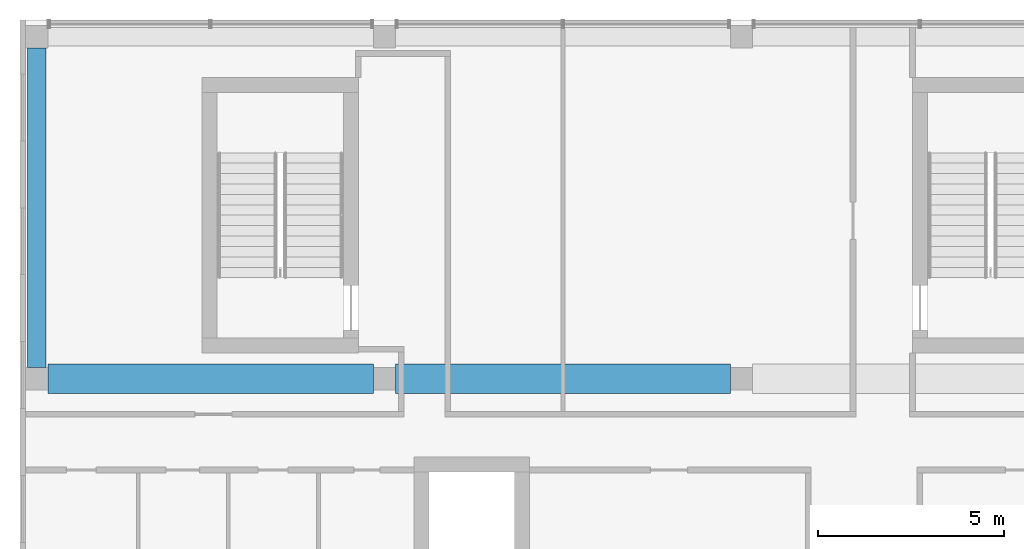
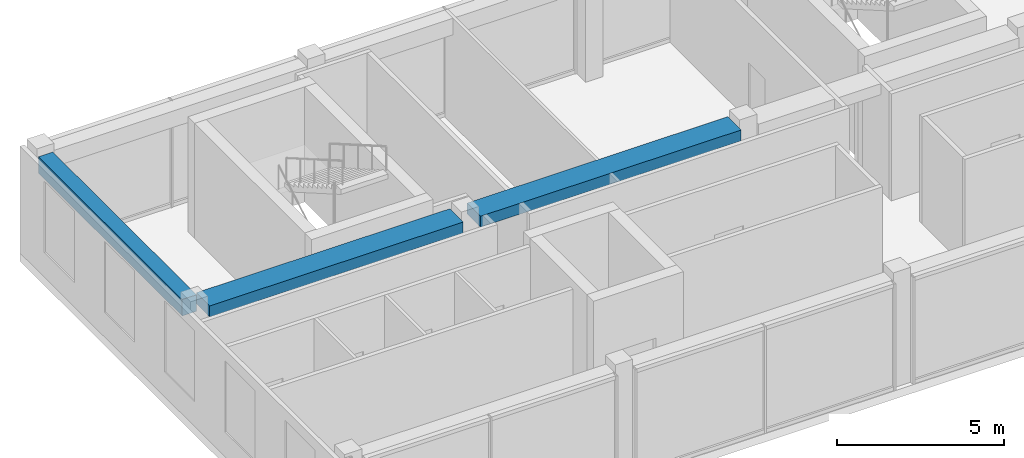
# One storey, part 14 of 28: 3 beams.
"""IFC4 building model written with IfcOpenShell, lengths in metres."""

from ifc_helpers import new_model, si_unit, direction, frame, origin, origin_2d, place, context, subcontext, project, spatial, rectangle, extrude, material, material_profile, profile_set, type_object, element, save


model = new_model("IFC4")

# Units and contexts
model_context = context("Model", 3, precision=1e-05, world=origin(), true_north=direction((0.0, 1.0)))
body_context = subcontext(model_context, "Body", "Model", "MODEL_VIEW")
ifc_project = project(units=[si_unit("LENGTHUNIT", "METRE"), si_unit("AREAUNIT", "SQUARE_METRE"), si_unit("VOLUMEUNIT", "CUBIC_METRE"), si_unit("PLANEANGLEUNIT", "RADIAN"), si_unit("MASSUNIT", "GRAM", prefix="KILO")], contexts=[model_context])

# Site, building, storey
site_placement = place(None, origin())
site = spatial("IfcSite", under=ifc_project, at=site_placement, CompositionType="ELEMENT")
building_placement = place(site_placement, origin())
building = spatial("IfcBuilding", under=site, at=building_placement, Name="Nzadi Deep Aquarium and Research Tower", CompositionType="ELEMENT")
storey_placement = place(building_placement, frame((0.0, 0.0, 73.89990234375)))
storey = spatial("IfcBuildingStorey", under=building, at=storey_placement, Name="L15", CompositionType="ELEMENT", Elevation=73.89990234375)

# Beams
ifc_material_1 = material(Name="Concrete C35/45", Category="concrete")
ifc_material_profile_1 = material_profile(ifc_material_1, rectangle(XDim=0.5, YDim=0.60009765625, at=origin_2d()))
ifc_profile_set_1 = profile_set([ifc_material_profile_1], Name="Concrete C35/45")
beam_type_1 = type_object("IfcBeamType", Name="RC 500x600", PredefinedType="BEAM", material=ifc_profile_set_1)
beam_1_placement = place(storey_placement, frame((0.25, 37.10009765625, 3.60009765625), z_axis=(0.0, 1.0, 0.0), x_axis=(-1.0, 0.0, 0.0)))
element("IfcBeam", 1, at=beam_1_placement, inside=storey, type_object=beam_type_1, Name="B-Z1-L15-CA-2-4", PredefinedType="BEAM", context=body_context, shape_type="SweptSolid", body=[
    extrude(rectangle(XDim=0.5, YDim=0.60009765625, at=origin_2d()), origin(), (0.0, 0.0, 1.0), 8.599853515625),
])
ifc_material_2 = material(Name="Concrete C35/45", Category="concrete")
ifc_material_profile_2 = material_profile(ifc_material_2, rectangle(XDim=0.800048828125, YDim=0.39990234375, at=origin_2d()))
ifc_profile_set_2 = profile_set([ifc_material_profile_2], Name="Concrete C35/45")
beam_type_2 = type_object("IfcBeamType", Name="RC 800x400", PredefinedType="BEAM", material=ifc_profile_set_2)
beam_2_placement = place(storey_placement, frame((0.550048828125, 36.800048828125, 3.7001953125), z_axis=(1.0, 0.0, 0.0), x_axis=(0.0, 1.0, 0.0)))
element("IfcBeam", 2, at=beam_2_placement, inside=storey, type_object=beam_type_2, Name="B-Z1-L15-L5-1", PredefinedType="BEAM", context=body_context, shape_type="SweptSolid", body=[
    extrude(rectangle(XDim=0.800048828125, YDim=0.39990234375, at=origin_2d()), origin(), (0.0, 0.0, 1.0), 8.75),
])
beam_3_placement = place(storey_placement, frame((9.89990234375, 36.800048828125, 3.7001953125), z_axis=(1.0, 0.0, 0.0), x_axis=(0.0, 1.0, 0.0)))
element("IfcBeam", 3, at=beam_3_placement, inside=storey, type_object=beam_type_2, Name="B-Z1-L15-L5-2", PredefinedType="BEAM", context=body_context, shape_type="SweptSolid", body=[
    extrude(rectangle(XDim=0.800048828125, YDim=0.39990234375, at=origin_2d()), origin(), (0.0, 0.0, 1.0), 9.0),
])

save(model, "model.ifc")
